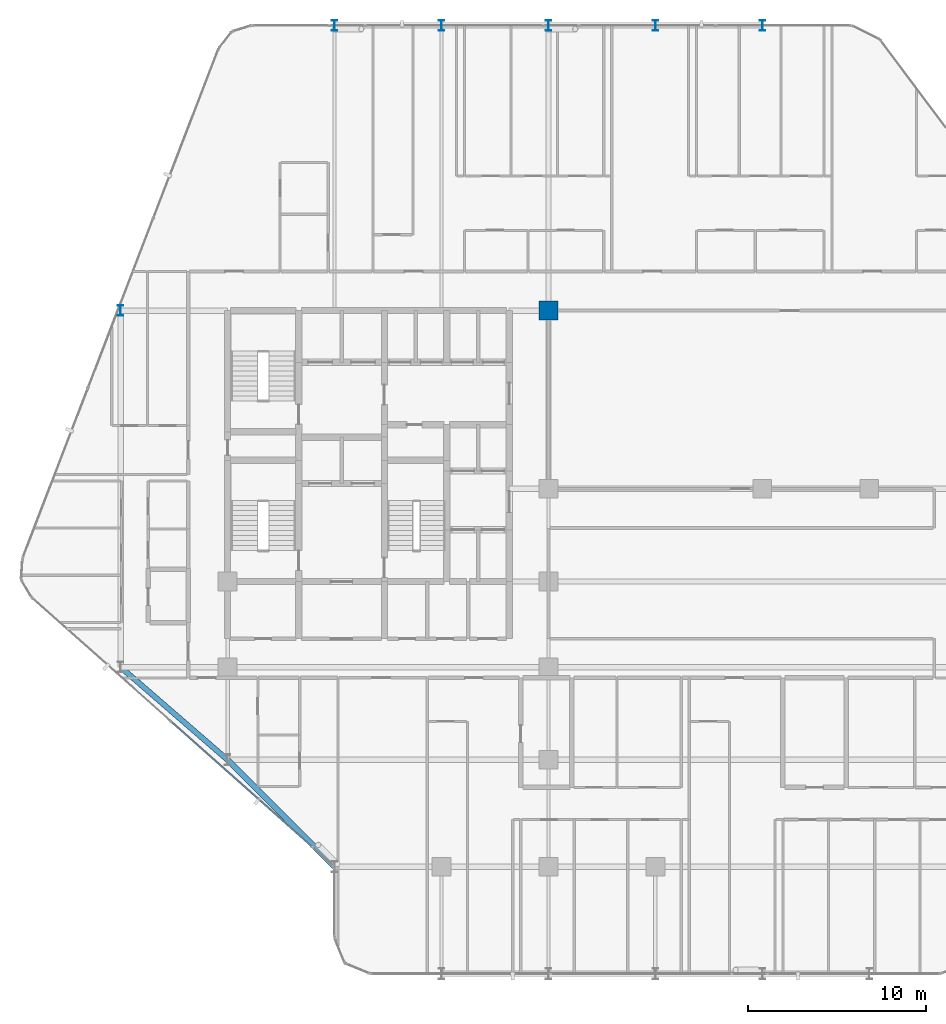
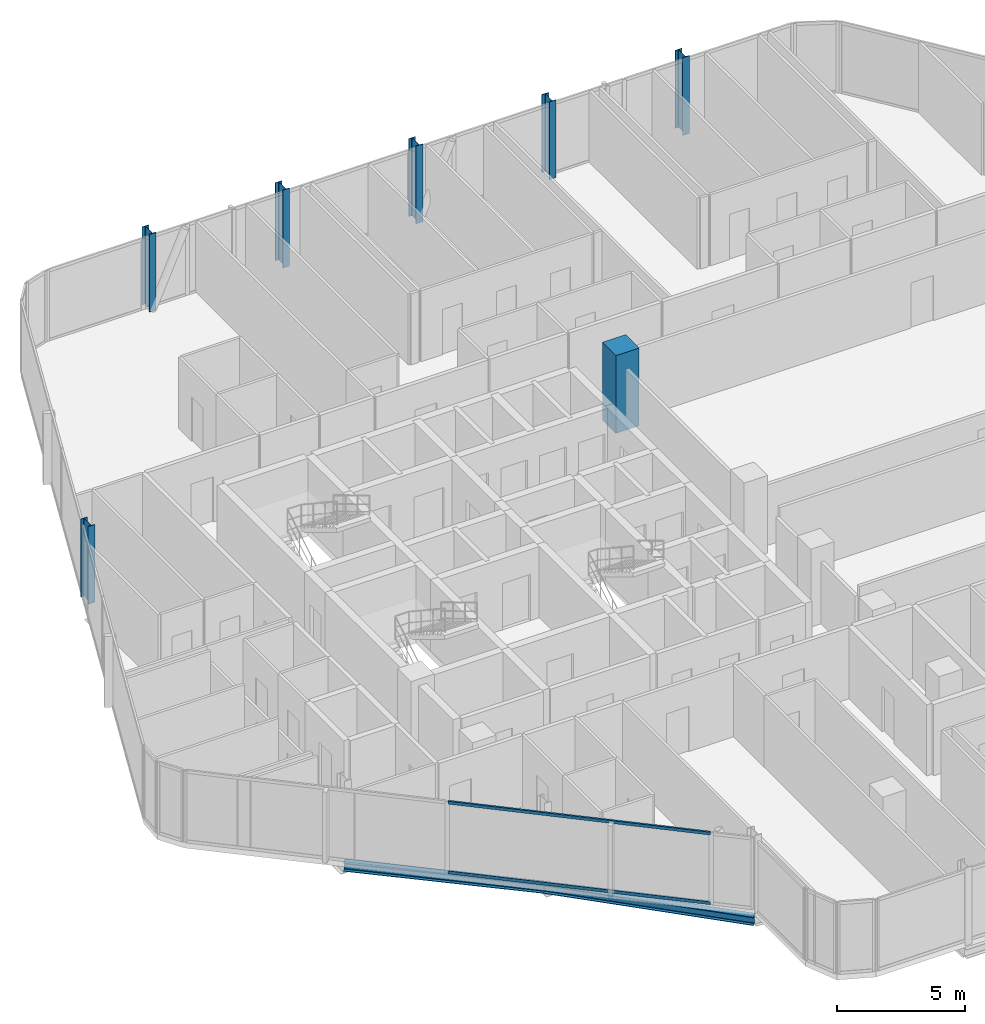
# One storey, part 2 of 30: 7 columns, 2 beams, 2 members, 1 element without a shape of its own.
"""IFC4 building model written with IfcOpenShell, lengths in metres."""

from ifc_helpers import new_model, si_unit, direction, frame, origin, origin_2d, place, context, subcontext, project, spatial, rectangle, hollow_rectangle, i_section, extrude, material, layer, layer_set, material_profile, profile_set, type_object, element, aggregate, save


model = new_model("IFC4")

# Units and contexts
model_context = context("Model", 3, precision=1e-05, world=origin(), true_north=direction((0.0, 1.0)))
body_context = subcontext(model_context, "Body", "Model", "MODEL_VIEW")
ifc_project = project(units=[si_unit("LENGTHUNIT", "METRE"), si_unit("AREAUNIT", "SQUARE_METRE"), si_unit("VOLUMEUNIT", "CUBIC_METRE"), si_unit("PLANEANGLEUNIT", "RADIAN"), si_unit("MASSUNIT", "GRAM", prefix="KILO")], contexts=[model_context])

# Site, building, storey
site_placement = place(None, origin())
site = spatial("IfcSite", under=ifc_project, at=site_placement, CompositionType="ELEMENT")
building_placement = place(site_placement, origin())
building = spatial("IfcBuilding", under=site, at=building_placement, Name="Keshet Zoharim Tower", CompositionType="ELEMENT")
storey_placement = place(building_placement, frame((0.0, 0.0, 109.39990234375)))
storey = spatial("IfcBuildingStorey", under=building, at=storey_placement, Name="L26", CompositionType="ELEMENT", Elevation=109.39990234375)

# Columns
ifc_material_1 = material(Name="Steel S355", Category="steel")
ifc_material_profile_1 = material_profile(ifc_material_1, i_section(OverallWidth=0.300048828125, OverallDepth=0.60009765625, WebThickness=0.015380859375, FlangeThickness=0.030029296875, FilletRadius=0.027099609375, at=origin_2d()), Name="HEB600")
ifc_profile_set_1 = profile_set([ifc_material_profile_1], Name="Steel S355")
column_type_1 = type_object("IfcColumnType", Name="COL-HEB600", PredefinedType="COLUMN", material=ifc_profile_set_1)
for number, where, z_axis, x_axis, name in (
    (1, (9.0, 37.89990234375, 0.0), (0.0, 0.0, 1.0), (1.0, 0.0, 0.0), "L26 Column 2H"),
    (2, (21.0, 53.89990234375, 0.0), (0.0, 0.0, 1.0), (1.0, 0.0, 0.0), "L26 Column 4L"),
    (3, (27.0, 53.89990234375, 0.0), (0.0, 0.0, 1.0), (1.0, 0.0, 0.0), "L26 Column 5L"),
    (4, (33.0, 53.89990234375, 0.0), (0.0, 0.0, 1.0), (1.0, 0.0, 0.0), "L26 Column 6L"),
    (5, (39.0, 53.89990234375, 0.0), (0.0, 0.0, 1.0), (1.0, 0.0, 0.0), "L26 Column 7L"),
    (6, (45.0, 53.89990234375, 0.0), (0.0, 0.0, 1.0), (1.0, 0.0, 0.0), "L26 Column 8L"),
):
    element("IfcColumn", number, at=place(storey_placement, frame(where, z_axis=z_axis, x_axis=x_axis)), inside=storey, type_object=column_type_1, Name=name, PredefinedType="COLUMN", context=body_context, shape_type="SweptSolid", body=[
        extrude(i_section(OverallWidth=0.300048828125, OverallDepth=0.60009765625, WebThickness=0.015380859375, FlangeThickness=0.030029296875, FilletRadius=0.027099609375, at=origin_2d()), origin(), (0.0, 0.0, 1.0), 3.7001953125),
    ])
ifc_material_2 = material(Name="Concrete C60/75", Category="concrete")
ifc_material_profile_2 = material_profile(ifc_material_2, rectangle(XDim=1.050048828125, YDim=1.050048828125, at=origin_2d()), Name="RC1050x1050")
ifc_profile_set_2 = profile_set([ifc_material_profile_2], Name="Concrete C60/75")
column_type_2 = type_object("IfcColumnType", Name="COL-RC1050", PredefinedType="COLUMN", material=ifc_profile_set_2)
column_placement = place(storey_placement, frame((33.0, 37.89990234375, 0.0), z_axis=(0.0, 0.0, 1.0), x_axis=(1.0, 0.0, 0.0)))
element("IfcColumn", 7, at=column_placement, inside=storey, type_object=column_type_2, Name="L26 Column 6H", PredefinedType="COLUMN", context=body_context, shape_type="SweptSolid", body=[
    extrude(rectangle(XDim=1.050048828125, YDim=1.050048828125, at=origin_2d()), origin(), (0.0, 0.0, 1.0), 3.7001953125),
])

# Beams
ifc_material_profile_3 = material_profile(ifc_material_1, i_section(OverallWidth=0.300048828125, OverallDepth=0.39990234375, WebThickness=0.013427734375, FlangeThickness=0.02392578125, FilletRadius=0.027099609375, at=origin_2d()), Name="HEB400")
ifc_profile_set_3 = profile_set([ifc_material_profile_3], Name="Steel S355")
beam_type = type_object("IfcBeamType", Name="BM-SPN-HB400", PredefinedType="SPANDREL", material=ifc_profile_set_3)
beam_1_placement = place(storey_placement, frame((21.0, 6.699951171875, -0.514892578125), z_axis=(-0.707106781187, 0.707106781187, 0.0), x_axis=(-0.707106781187, -0.707106781187, 0.0)))
element("IfcBeam", 8, at=beam_1_placement, inside=storey, type_object=beam_type, Name="L26 Perimeter Spandrel Beam 01", PredefinedType="SPANDREL", context=body_context, shape_type="SweptSolid", body=[
    extrude(i_section(OverallWidth=0.300048828125, OverallDepth=0.39990234375, WebThickness=0.013427734375, FlangeThickness=0.02392578125, FilletRadius=0.027099609375, at=origin_2d()), origin(), (0.0, 0.0, 1.0), 8.4853515625),
])
beam_2_placement = place(storey_placement, frame((9.0, 17.89990234375, -0.514892578125), z_axis=(0.755692126483, -0.654927026447, 0.0), x_axis=(0.654927026447, 0.755692126483, 0.0)))
element("IfcBeam", 9, at=beam_2_placement, inside=storey, type_object=beam_type, Name="L26 Perimeter Spandrel Beam 02", PredefinedType="SPANDREL", context=body_context, shape_type="SweptSolid", body=[
    extrude(i_section(OverallWidth=0.300048828125, OverallDepth=0.39990234375, WebThickness=0.013427734375, FlangeThickness=0.02392578125, FilletRadius=0.027099609375, at=origin_2d()), origin(), (0.0, 0.0, 1.0), 7.939697265625),
])

# Curtain wall, members
ifc_material_3 = material(Name="Aluminium 6063-T6", Category="aluminium")
ifc_layer = layer(ifc_material_3, 0.159912109375)
ifc_layer_set = layer_set([ifc_layer], Name="Aluminium 6063-T6")
curtain_wall_type = type_object("IfcCurtainWallType", Name="CW-SYS-03", PredefinedType="NOTDEFINED", material=ifc_layer_set)
curtain_wall_placement = place(storey_placement, origin())
curtain_wall = element("IfcCurtainWall", 10, at=curtain_wall_placement, inside=storey, type_object=curtain_wall_type, Name="L26 Unitised Curtain Wall 07 Part 2", PredefinedType="NOTDEFINED")
ifc_material_profile_4 = material_profile(ifc_material_3, hollow_rectangle(XDim=0.080078125, YDim=0.139892578125, WallThickness=0.00390625, at=origin_2d()), Name="TRN-80x140")
ifc_profile_set_4 = profile_set([ifc_material_profile_4], Name="Aluminium 6063-T6")
member_type = type_object("IfcMemberType", Name="CWT-T14", PredefinedType="USERDEFINED", material=ifc_profile_set_4)
member_1_placement = place(storey_placement, frame((19.6953125, 7.85986328125, 0.03515625), z_axis=(-0.747413188834, 0.664359484885, 0.0), x_axis=(-0.664359484885, -0.747413188834, 0.0)))
member_1 = element("IfcMember", 11, at=member_1_placement, type_object=member_type, Name="CW-03 transom 1.1", ObjectType="TRANSOM", PredefinedType="USERDEFINED", context=body_context, shape_type="SweptSolid", body=[
    extrude(hollow_rectangle(XDim=0.080078125, YDim=0.139892578125, WallThickness=0.00390625, at=origin_2d()), origin(), (0.0, 0.0, 1.0), 10.44140625),
])
member_2_placement = place(storey_placement, frame((19.6953125, 7.85986328125, 3.35009765625), z_axis=(-0.747413188834, 0.664359484885, 0.0), x_axis=(-0.664359484885, -0.747413188834, 0.0)))
member_2 = element("IfcMember", 12, at=member_2_placement, type_object=member_type, Name="CW-03 transom 1.2", ObjectType="TRANSOM", PredefinedType="USERDEFINED", context=body_context, shape_type="SweptSolid", body=[
    extrude(hollow_rectangle(XDim=0.080078125, YDim=0.139892578125, WallThickness=0.00390625, at=origin_2d()), origin(), (0.0, 0.0, 1.0), 10.44140625),
])
aggregate(curtain_wall, [member_1, member_2])

save(model, "model.ifc")
